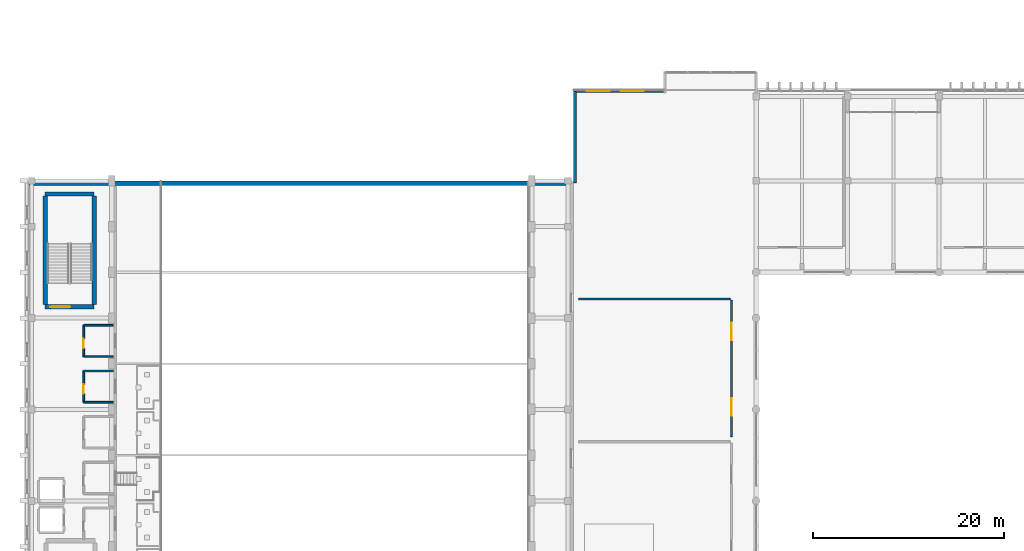
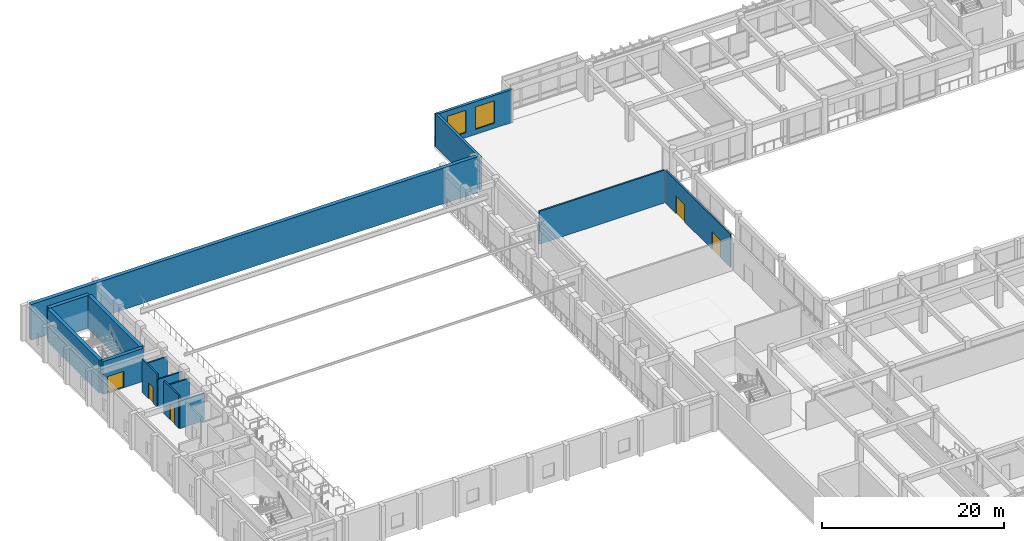
# One storey, part 101 of 133: 15 walls, 5 doors, 2 windows, 7 openings.
"""IFC4 building model written with IfcOpenShell, lengths in metres."""

from ifc_helpers import new_model, si_unit, direction, frame, frame_2d, origin, place, context, subcontext, project, spatial, rectangle, extrude, material, layer, layer_set, type_object, element, fill, save


model = new_model("IFC4")

# Units and contexts
model_context = context("Model", 3, precision=1e-05, world=origin(), true_north=direction((0.0, 1.0)))
body_context = subcontext(model_context, "Body", "Model", "MODEL_VIEW")
ifc_project = project(units=[si_unit("LENGTHUNIT", "METRE"), si_unit("AREAUNIT", "SQUARE_METRE"), si_unit("VOLUMEUNIT", "CUBIC_METRE"), si_unit("PLANEANGLEUNIT", "RADIAN"), si_unit("MASSUNIT", "GRAM", prefix="KILO")], contexts=[model_context])

# Site, building, storey
site_placement = place(None, origin())
site = spatial("IfcSite", under=ifc_project, at=site_placement, CompositionType="ELEMENT")
building_placement = place(site_placement, origin())
building = spatial("IfcBuilding", under=site, at=building_placement, Name="Nakhvara Creek Congress Hotel", CompositionType="ELEMENT")
storey_placement = place(building_placement, frame((0.0, 0.0, 11.39990234375)))
storey = spatial("IfcBuildingStorey", under=building, at=storey_placement, Name="L02", CompositionType="ELEMENT", Elevation=11.39990234375)

# Wall, opening, door
ifc_material_1 = material(Name="Concrete C50/60", Category="concrete")
ifc_layer_1 = layer(ifc_material_1, 0.449951171875)
ifc_layer_set_1 = layer_set([ifc_layer_1], Name="Concrete C50/60")
wall_type_1 = type_object("IfcWallType", Name="W-CORE-450", PredefinedType="SHEAR", material=ifc_layer_set_1)
wall_1_placement = place(storey_placement, frame((2.14990234375, 73.179931640625, 0.0), z_axis=(0.0, 0.0, 1.0), x_axis=(1.0, 0.0, 0.0)))
wall_1 = element("IfcWall", 1, at=wall_1_placement, inside=storey, type_object=wall_type_1, Name="Core Shear Wall WS02-CWALL-L02-0863", PredefinedType="SHEAR", context=body_context, shape_type="SweptSolid", body=[
    extrude(rectangle(XDim=5.150146484375, YDim=0.449951171875, at=frame_2d((2.5751953125, 0.0))), origin(), (0.0, 0.0, 1.0), 4.420166015625),
])
opening_1_placement = place(wall_1_placement, frame((0.550048828125, 0.0, 0.0)))
opening_1 = element("IfcOpeningElement", 2, at=opening_1_placement, cuts=wall_1, Name="Opening FD19", PredefinedType="OPENING", context=body_context, shape_type="SweptSolid", body=[
    extrude(rectangle(XDim=2.10009765625, YDim=2.199951171875, at=frame_2d((1.050048828125, 1.10009765625))), frame((0.0, 0.23681640625, 0.0), z_axis=(0.0, -1.0, 0.0), x_axis=(1.0, 0.0, 0.0)), (0.0, 0.0, 1.0), 0.473876953125),
])
ifc_material_2 = material(Name="Galvanised steel acoustic fire door", Category="steel")
door_type_1 = type_object("IfcDoorType", Name="DT-STAIR-220", OperationType="DOUBLE_DOOR_SINGLE_SWING", PredefinedType="DOOR", material=ifc_material_2)
door_1_placement = place(opening_1_placement, frame((2.10009765625, 0.0, 0.0), z_axis=(0.0, 0.0, 1.0), x_axis=(-1.0, 0.0, 0.0)))
door_1 = element("IfcDoor", 3, at=door_1_placement, inside=storey, type_object=door_type_1, Name="Stair Exit Door ST07-L02", OperationType="DOUBLE_DOOR_SINGLE_SWING", OverallHeight=2.199951171875, OverallWidth=2.10009765625, PredefinedType="DOOR", context=body_context, shape_type="SweptSolid", body=[
    extrude(rectangle(XDim=2.10009765625, YDim=2.199951171875, at=frame_2d((1.050048828125, 1.10009765625))), frame((0.0, 0.02490234375, 0.0), z_axis=(0.0, -1.0, 0.0), x_axis=(1.0, 0.0, 0.0)), (0.0, 0.0, 1.0), 0.050048828125),
])
fill(opening_1, door_1)

# Walls
wall_2_placement = place(storey_placement, frame((2.14990234375, 85.02001953125, 0.0), z_axis=(0.0, 0.0, 1.0), x_axis=(1.0, 0.0, 0.0)))
element("IfcWall", 4, at=wall_2_placement, inside=storey, type_object=wall_type_1, Name="Core Shear Wall WS02-CWALL-L02-0864", PredefinedType="SHEAR", context=body_context, shape_type="SweptSolid", body=[
    extrude(rectangle(XDim=5.150146484375, YDim=0.449951171875, at=frame_2d((2.5751953125, 0.0))), origin(), (0.0, 0.0, 1.0), 4.420166015625),
])
for number, where, z_axis, x_axis, name in (
    (5, (2.14990234375, 73.39990234375, 0.0), (0.0, 0.0, 1.0), (0.0, 1.0, 0.0), "Core Shear Wall WS02-CWALL-L02-0865"),
    (6, (7.300048828125, 73.39990234375, 0.0), (0.0, 0.0, 1.0), (0.0, 1.0, 0.0), "Core Shear Wall WS02-CWALL-L02-0866"),
):
    element("IfcWall", number, at=place(storey_placement, frame(where, z_axis=z_axis, x_axis=x_axis)), inside=storey, type_object=wall_type_1, Name=name, PredefinedType="SHEAR", context=body_context, shape_type="SweptSolid", body=[
        extrude(rectangle(XDim=11.400146484375, YDim=0.449951171875, at=frame_2d((5.7001953125, 0.0))), origin(), (0.0, 0.0, 1.0), 4.420166015625),
    ])

# Wall, openings, windows
ifc_material_3 = material(Name="Architectural GRC panel")
ifc_layer_2 = layer(ifc_material_3, 0.0400390625)
ifc_material_4 = material(Name="Mineral wool thermal insulation")
ifc_layer_3 = layer(ifc_material_4, 0.10009765625)
ifc_material_5 = material(Name="Precast concrete C40/50", Category="concrete")
ifc_layer_4 = layer(ifc_material_5, 0.199951171875)
ifc_layer_set_2 = layer_set([ifc_layer_2, ifc_layer_3, ifc_layer_4], Name="Precast concrete C40/50")
wall_type_2 = type_object("IfcWallType", Name="W-EXT-340", PredefinedType="SOLIDWALL", material=ifc_layer_set_2)
wall_3_placement = place(storey_placement, frame((57.60009765625, 95.830078125, 0.0), z_axis=(0.0, 0.0, 1.0), x_axis=(1.0, 0.0, 0.0)))
wall_3 = element("IfcWall", 7, at=wall_3_placement, inside=storey, type_object=wall_type_2, Name="Exterior Wall WE04-EW-L02-0076", PredefinedType="SOLIDWALL", context=body_context, shape_type="SweptSolid", body=[
    extrude(rectangle(XDim=9.599853515625, YDim=0.340087890625, at=frame_2d((4.7998046875, 0.0))), origin(), (0.0, 0.0, 1.0), 4.420166015625),
])
opening_2_placement = place(wall_3_placement, frame((1.39990234375, 0.0, 0.699951171875)))
opening_2 = element("IfcOpeningElement", 8, at=opening_2_placement, cuts=wall_3, Name="Opening WN0084", PredefinedType="OPENING", context=body_context, shape_type="SweptSolid", body=[
    extrude(rectangle(XDim=2.39990234375, YDim=3.0, at=frame_2d((1.199951171875, 1.5))), frame((0.0, 0.18212890625, 0.0), z_axis=(0.0, -1.0, 0.0), x_axis=(1.0, 0.0, 0.0)), (0.0, 0.0, 1.0), 0.364013671875),
])
opening_3_placement = place(wall_3_placement, frame((5.0, 0.0, 0.699951171875)))
opening_3 = element("IfcOpeningElement", 9, at=opening_3_placement, cuts=wall_3, Name="Opening WN0085", PredefinedType="OPENING", context=body_context, shape_type="SweptSolid", body=[
    extrude(rectangle(XDim=2.39990234375, YDim=3.0, at=frame_2d((1.199951171875, 1.5))), frame((0.0, 0.18212890625, 0.0), z_axis=(0.0, -1.0, 0.0), x_axis=(1.0, 0.0, 0.0)), (0.0, 0.0, 1.0), 0.364013671875),
])
ifc_material_6 = material(Name="Thermally broken bronze-anodised aluminium and double-silver low-E insulated glass", Category="aluminium")
window_type = type_object("IfcWindowType", Name="WN-POD-240X300", PartitioningType="SINGLE_PANEL", PredefinedType="WINDOW", material=ifc_material_6)
window_1_placement = place(opening_2_placement, origin())
window_1 = element("IfcWindow", 10, at=window_1_placement, inside=storey, type_object=window_type, Name="Facade Window WN0084", OverallHeight=3.0, OverallWidth=2.39990234375, PartitioningType="SINGLE_PANEL", PredefinedType="WINDOW", context=body_context, shape_type="SweptSolid", body=[
    extrude(rectangle(XDim=2.39990234375, YDim=3.0, at=frame_2d((1.199951171875, 1.5))), frame((0.0, 0.030029296875, 0.0), z_axis=(0.0, -1.0, 0.0), x_axis=(1.0, 0.0, 0.0)), (0.0, 0.0, 1.0), 0.06005859375),
])
fill(opening_2, window_1)
window_2_placement = place(opening_3_placement, origin())
window_2 = element("IfcWindow", 11, at=window_2_placement, inside=storey, type_object=window_type, Name="Facade Window WN0085", OverallHeight=3.0, OverallWidth=2.39990234375, PartitioningType="SINGLE_PANEL", PredefinedType="WINDOW", context=body_context, shape_type="SweptSolid", body=[
    extrude(rectangle(XDim=2.39990234375, YDim=3.0, at=frame_2d((1.199951171875, 1.5))), frame((0.0, 0.030029296875, 0.0), z_axis=(0.0, -1.0, 0.0), x_axis=(1.0, 0.0, 0.0)), (0.0, 0.0, 1.0), 0.06005859375),
])
fill(opening_3, window_2)

# Walls
wall_4_placement = place(storey_placement, frame((57.77001953125, 86.199951171875, 0.0), z_axis=(0.0, 0.0, 1.0), x_axis=(0.0, 1.0, 0.0)))
element("IfcWall", 12, at=wall_4_placement, inside=storey, type_object=wall_type_2, Name="Exterior Wall WE04-EW-L02-0079", PredefinedType="SOLIDWALL", context=body_context, shape_type="SweptSolid", body=[
    extrude(rectangle(XDim=9.60009765625, YDim=0.340087890625, at=frame_2d((4.800048828125, 0.0))), origin(), (0.0, 0.0, 1.0), 4.420166015625),
])
ifc_material_7 = material(Name="Honed pale Omani limestone cladding", Category="masonry")
ifc_layer_5 = layer(ifc_material_7, 0.06005859375)
ifc_layer_6 = layer(ifc_material_4, 0.1201171875)
ifc_layer_7 = layer(ifc_material_5, 0.300048828125)
ifc_layer_set_3 = layer_set([ifc_layer_5, ifc_layer_6, ifc_layer_7], Name="Precast concrete C40/50")
wall_type_3 = type_object("IfcWallType", Name="W-HALL-480", PredefinedType="SOLIDWALL", material=ifc_layer_set_3)
wall_5_placement = place(storey_placement, frame((0.5, 86.159912109375, 0.0), z_axis=(0.0, 0.0, 1.0), x_axis=(1.0, 0.0, 0.0)))
element("IfcWall", 13, at=wall_5_placement, inside=storey, type_object=wall_type_3, Name="Exterior Wall WE01-EW-L02-0067", PredefinedType="SOLIDWALL", context=body_context, shape_type="SweptSolid", body=[
    extrude(rectangle(XDim=56.699951171875, YDim=0.47998046875, at=frame_2d((28.35009765625, 0.0))), origin(), (0.0, 0.0, 1.0), 4.800048828125),
])

# Wall, opening, door
ifc_material_8 = material(Name="Gypsum acoustic board on steel stud", Category="steel")
ifc_layer_8 = layer(ifc_material_8, 0.179931640625)
ifc_layer_set_4 = layer_set([ifc_layer_8], Name="Gypsum acoustic board on steel stud")
wall_type_4 = type_object("IfcWallType", Name="W-MEET-180", PredefinedType="PARTITIONING", material=ifc_layer_set_4)
wall_6_placement = place(storey_placement, frame((6.199951171875, 63.14990234375, 0.0), z_axis=(0.0, 0.0, 1.0), x_axis=(0.0, 1.0, 0.0)))
wall_6 = element("IfcWall", 14, at=wall_6_placement, inside=storey, type_object=wall_type_4, Name="Interior Wall WP13-IW-L02-0021", PredefinedType="PARTITIONING", context=body_context, shape_type="SweptSolid", body=[
    extrude(rectangle(XDim=3.300048828125, YDim=0.179931640625, at=frame_2d((1.64990234375, 0.0))), origin(), (0.0, 0.0, 1.0), 4.420166015625),
])
opening_4_placement = place(wall_6_placement, frame((0.89990234375, 0.0, 0.0)))
opening_4 = element("IfcOpeningElement", 15, at=opening_4_placement, cuts=wall_6, Name="Opening MD03", PredefinedType="OPENING", context=body_context, shape_type="SweptSolid", body=[
    extrude(rectangle(XDim=0.97998046875, YDim=2.14990234375, at=frame_2d((0.489990234375, 1.074951171875))), frame((0.0, 0.10205078125, 0.0), z_axis=(0.0, -1.0, 0.0), x_axis=(1.0, 0.0, 0.0)), (0.0, 0.0, 1.0), 0.203857421875),
])
ifc_material_9 = material(Name="Acoustic ISO 2603 sound-lock timber door", Category="wood")
door_type_2 = type_object("IfcDoorType", Name="DT-ISO-098", OperationType="NOTDEFINED", PredefinedType="DOOR", material=ifc_material_9)
door_2_placement = place(opening_4_placement, frame((0.97998046875, 0.0, 0.0), z_axis=(0.0, 0.0, 1.0), x_axis=(-1.0, 0.0, 0.0)))
door_2 = element("IfcDoor", 16, at=door_2_placement, inside=storey, type_object=door_type_2, Name="Interior Door MD03-0021", OperationType="SINGLE_SWING_RIGHT", OverallHeight=2.14990234375, OverallWidth=0.97998046875, PredefinedType="DOOR", context=body_context, shape_type="SweptSolid", body=[
    extrude(rectangle(XDim=0.97998046875, YDim=2.14990234375, at=frame_2d((0.489990234375, 1.074951171875))), frame((0.0, 0.02490234375, 0.0), z_axis=(0.0, -1.0, 0.0), x_axis=(1.0, 0.0, 0.0)), (0.0, 0.0, 1.0), 0.050048828125),
])
fill(opening_4, door_2)

# Walls
for number, where, z_axis, x_axis, name in (
    (17, (6.199951171875, 63.14990234375, 0.0), (0.0, 0.0, 1.0), (1.0, 0.0, 0.0), "Interior Wall WP13-IW-L02-0022"),
    (18, (6.199951171875, 66.449951171875, 0.0), (0.0, 0.0, 1.0), (1.0, 0.0, 0.0), "Interior Wall WP13-IW-L02-0023"),
):
    element("IfcWall", number, at=place(storey_placement, frame(where, z_axis=z_axis, x_axis=x_axis)), inside=storey, type_object=wall_type_4, Name=name, PredefinedType="PARTITIONING", context=body_context, shape_type="SweptSolid", body=[
        extrude(rectangle(XDim=3.1201171875, YDim=0.179931640625, at=frame_2d((1.56005859375, 0.0))), origin(), (0.0, 0.0, 1.0), 3.692138671875),
    ])

# Wall, opening, door
wall_7_placement = place(storey_placement, frame((6.199951171875, 67.949951171875, 0.0), z_axis=(0.0, 0.0, 1.0), x_axis=(0.0, 1.0, 0.0)))
wall_7 = element("IfcWall", 19, at=wall_7_placement, inside=storey, type_object=wall_type_4, Name="Interior Wall WP13-IW-L02-0024", PredefinedType="PARTITIONING", context=body_context, shape_type="SweptSolid", body=[
    extrude(rectangle(XDim=3.300048828125, YDim=0.179931640625, at=frame_2d((1.64990234375, 0.0))), origin(), (0.0, 0.0, 1.0), 4.420166015625),
])
opening_5_placement = place(wall_7_placement, frame((0.89990234375, 0.0, 0.0)))
opening_5 = element("IfcOpeningElement", 20, at=opening_5_placement, cuts=wall_7, Name="Opening MD03", PredefinedType="OPENING", context=body_context, shape_type="SweptSolid", body=[
    extrude(rectangle(XDim=0.97998046875, YDim=2.14990234375, at=frame_2d((0.489990234375, 1.074951171875))), frame((0.0, 0.10205078125, 0.0), z_axis=(0.0, -1.0, 0.0), x_axis=(1.0, 0.0, 0.0)), (0.0, 0.0, 1.0), 0.203857421875),
])
door_3_placement = place(opening_5_placement, frame((0.97998046875, 0.0, 0.0), z_axis=(0.0, 0.0, 1.0), x_axis=(-1.0, 0.0, 0.0)))
door_3 = element("IfcDoor", 21, at=door_3_placement, inside=storey, type_object=door_type_2, Name="Interior Door MD03-0022", OperationType="SINGLE_SWING_LEFT", OverallHeight=2.14990234375, OverallWidth=0.97998046875, PredefinedType="DOOR", context=body_context, shape_type="SweptSolid", body=[
    extrude(rectangle(XDim=0.97998046875, YDim=2.14990234375, at=frame_2d((0.489990234375, 1.074951171875))), frame((0.0, 0.02490234375, 0.0), z_axis=(0.0, -1.0, 0.0), x_axis=(1.0, 0.0, 0.0)), (0.0, 0.0, 1.0), 0.050048828125),
])
fill(opening_5, door_3)

# Walls
for number, where, z_axis, x_axis, name in (
    (22, (6.199951171875, 67.949951171875, 0.0), (0.0, 0.0, 1.0), (1.0, 0.0, 0.0), "Interior Wall WP13-IW-L02-0025"),
    (23, (6.199951171875, 71.25, 0.0), (0.0, 0.0, 1.0), (1.0, 0.0, 0.0), "Interior Wall WP13-IW-L02-0026"),
):
    element("IfcWall", number, at=place(storey_placement, frame(where, z_axis=z_axis, x_axis=x_axis)), inside=storey, type_object=wall_type_4, Name=name, PredefinedType="PARTITIONING", context=body_context, shape_type="SweptSolid", body=[
        extrude(rectangle(XDim=3.1201171875, YDim=0.179931640625, at=frame_2d((1.56005859375, 0.0))), origin(), (0.0, 0.0, 1.0), 3.692138671875),
    ])

# Wall, openings, doors
wall_8_placement = place(storey_placement, frame((74.199951171875, 59.550048828125, 0.0), z_axis=(0.0, 0.0, 1.0), x_axis=(0.0, 1.0, 0.0)))
wall_8 = element("IfcWall", 24, at=wall_8_placement, inside=storey, type_object=wall_type_4, Name="Interior Wall WP13-IW-L02-0130", PredefinedType="PARTITIONING", context=body_context, shape_type="SweptSolid", body=[
    extrude(rectangle(XDim=14.300048828125, YDim=0.179931640625, at=frame_2d((7.14990234375, 0.0))), origin(), (0.0, 0.0, 1.0), 4.420166015625),
])
opening_6_placement = place(wall_8_placement, frame((2.199951171875, 0.0, 0.0)))
opening_6 = element("IfcOpeningElement", 25, at=opening_6_placement, cuts=wall_8, Name="Opening MD01", PredefinedType="OPENING", context=body_context, shape_type="SweptSolid", body=[
    extrude(rectangle(XDim=1.85009765625, YDim=2.35009765625, at=frame_2d((0.925048828125, 1.175048828125))), frame((0.0, 0.10205078125, 0.0), z_axis=(0.0, -1.0, 0.0), x_axis=(1.0, 0.0, 0.0)), (0.0, 0.0, 1.0), 0.203857421875),
])
opening_7_placement = place(wall_8_placement, frame((10.10009765625, 0.0, 0.0)))
opening_7 = element("IfcOpeningElement", 26, at=opening_7_placement, cuts=wall_8, Name="Opening MD01", PredefinedType="OPENING", context=body_context, shape_type="SweptSolid", body=[
    extrude(rectangle(XDim=1.85009765625, YDim=2.35009765625, at=frame_2d((0.925048828125, 1.175048828125))), frame((0.0, 0.10205078125, 0.0), z_axis=(0.0, -1.0, 0.0), x_axis=(1.0, 0.0, 0.0)), (0.0, 0.0, 1.0), 0.203857421875),
])
ifc_material_10 = material(Name="Acoustic walnut timber double door", Category="wood")
door_type_3 = type_object("IfcDoorType", Name="DT-MEET-185", OperationType="DOUBLE_DOOR_SINGLE_SWING", PredefinedType="DOOR", material=ifc_material_10)
door_4_placement = place(opening_6_placement, origin())
door_4 = element("IfcDoor", 27, at=door_4_placement, inside=storey, type_object=door_type_3, Name="Interior Door MD01-0130", OperationType="DOUBLE_DOOR_SINGLE_SWING", OverallHeight=2.35009765625, OverallWidth=1.85009765625, PredefinedType="DOOR", context=body_context, shape_type="SweptSolid", body=[
    extrude(rectangle(XDim=1.85009765625, YDim=2.35009765625, at=frame_2d((0.925048828125, 1.175048828125))), frame((0.0, 0.02490234375, 0.0), z_axis=(0.0, -1.0, 0.0), x_axis=(1.0, 0.0, 0.0)), (0.0, 0.0, 1.0), 0.050048828125),
])
fill(opening_6, door_4)
door_5_placement = place(opening_7_placement, origin())
door_5 = element("IfcDoor", 28, at=door_5_placement, inside=storey, type_object=door_type_3, Name="Interior Door MD01-0131", OperationType="DOUBLE_DOOR_SINGLE_SWING", OverallHeight=2.35009765625, OverallWidth=1.85009765625, PredefinedType="DOOR", context=body_context, shape_type="SweptSolid", body=[
    extrude(rectangle(XDim=1.85009765625, YDim=2.35009765625, at=frame_2d((0.925048828125, 1.175048828125))), frame((0.0, 0.02490234375, 0.0), z_axis=(0.0, -1.0, 0.0), x_axis=(1.0, 0.0, 0.0)), (0.0, 0.0, 1.0), 0.050048828125),
])
fill(opening_7, door_5)

# Wall
ifc_layer_9 = layer(ifc_material_8, 0.199951171875)
ifc_layer_set_5 = layer_set([ifc_layer_9], Name="Gypsum acoustic board on steel stud")
wall_type_5 = type_object("IfcWallType", Name="W-PART-200", PredefinedType="PARTITIONING", material=ifc_layer_set_5)
wall_9_placement = place(storey_placement, frame((58.14990234375, 74.0, 0.0), z_axis=(0.0, 0.0, 1.0), x_axis=(1.0, 0.0, 0.0)))
element("IfcWall", 29, at=wall_9_placement, inside=storey, type_object=wall_type_5, Name="Interior Wall WP12-IW-L02-0131", PredefinedType="PARTITIONING", context=body_context, shape_type="SweptSolid", body=[
    extrude(rectangle(XDim=15.900146484375, YDim=0.199951171875, at=frame_2d((7.9501953125, 0.0))), origin(), (0.0, 0.0, 1.0), 4.420166015625),
])

save(model, "model.ifc")
